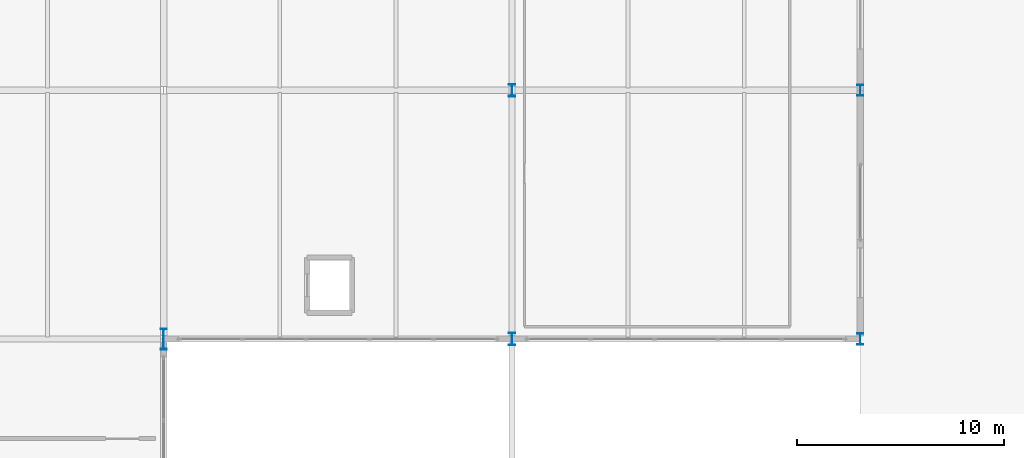
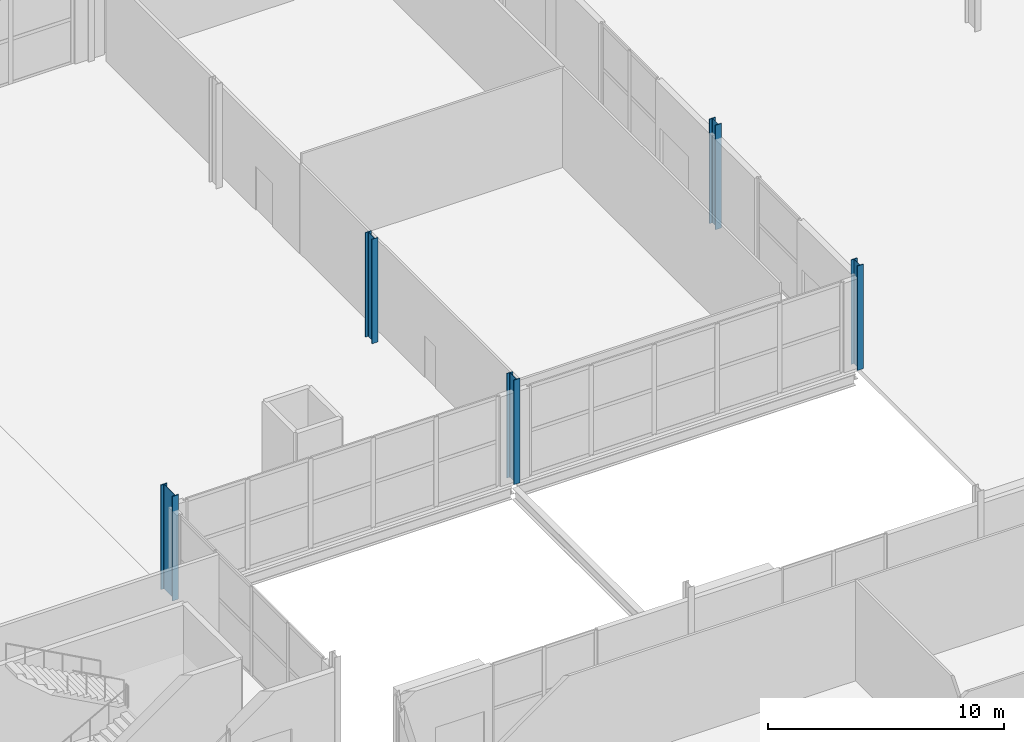
# One storey, part 14 of 87: 5 columns.
"""IFC4 building model written with IfcOpenShell, lengths in metres."""

from ifc_helpers import new_model, si_unit, direction, frame, origin, origin_2d, place, context, subcontext, project, spatial, i_section, extrude, material, material_profile, profile_set, type_object, element, save


model = new_model("IFC4")

# Units and contexts
model_context = context("Model", 3, precision=1e-05, world=origin(), true_north=direction((0.0, 1.0)))
body_context = subcontext(model_context, "Body", "Model", "MODEL_VIEW")
ifc_project = project(units=[si_unit("LENGTHUNIT", "METRE"), si_unit("AREAUNIT", "SQUARE_METRE"), si_unit("VOLUMEUNIT", "CUBIC_METRE"), si_unit("PLANEANGLEUNIT", "RADIAN"), si_unit("MASSUNIT", "GRAM", prefix="KILO")], contexts=[model_context])

# Site, building, storey
site_placement = place(None, origin())
site = spatial("IfcSite", under=ifc_project, at=site_placement, CompositionType="ELEMENT")
building_placement = place(site_placement, origin())
building = spatial("IfcBuilding", under=site, at=building_placement, Name="Kimbaza Rail Terminus", CompositionType="ELEMENT")
storey_placement = place(building_placement, origin())
storey = spatial("IfcBuildingStorey", under=building, at=storey_placement, Name="L00", CompositionType="ELEMENT", Elevation=0.0)

# Columns
ifc_material_1 = material(Name="Steel S355", Category="steel")
ifc_material_profile_1 = material_profile(ifc_material_1, i_section(OverallWidth=0.300048828125, OverallDepth=0.550048828125, WebThickness=0.014892578125, FlangeThickness=0.029052734375, FilletRadius=0.027099609375, at=origin_2d()), Name="HEB 550")
ifc_profile_set_1 = profile_set([ifc_material_profile_1], Name="Steel S355")
column_type_1 = type_object("IfcColumnType", Name="STR-COL-HEB550", PredefinedType="COLUMN", material=ifc_profile_set_1)
for number, where, z_axis, x_axis, name in (
    (1, (189.60009765625, 55.0, 0.0), (0.0, 0.0, 1.0), (1.0, 0.0, 0.0), "Concourse Outer Wing Column L00"),
    (2, (189.60009765625, 67.0, 0.0), (0.0, 0.0, 1.0), (1.0, 0.0, 0.0), "Concourse Outer Wing Column L00"),
):
    element("IfcColumn", number, at=place(storey_placement, frame(where, z_axis=z_axis, x_axis=x_axis)), inside=storey, type_object=column_type_1, Name=name, PredefinedType="COLUMN", context=body_context, shape_type="SweptSolid", body=[
        extrude(i_section(OverallWidth=0.300048828125, OverallDepth=0.550048828125, WebThickness=0.014892578125, FlangeThickness=0.029052734375, FilletRadius=0.027099609375, at=origin_2d()), origin(), (0.0, 0.0, 1.0), 5.39990234375),
    ])
ifc_material_2 = material(Name="Steel S355", Category="steel")
ifc_material_profile_2 = material_profile(ifc_material_2, i_section(OverallWidth=0.300048828125, OverallDepth=0.60009765625, WebThickness=0.015380859375, FlangeThickness=0.030029296875, FilletRadius=0.027099609375, at=origin_2d()), Name="HEB 600")
ifc_profile_set_2 = profile_set([ifc_material_profile_2], Name="Steel S355")
column_type_2 = type_object("IfcColumnType", Name="STR-COL-HEB600", PredefinedType="COLUMN", material=ifc_profile_set_2)
for number, where, z_axis, x_axis, name in (
    (3, (172.800048828125, 55.0, 0.0), (0.0, 0.0, 1.0), (1.0, 0.0, 0.0), "Ticket Hall Pier L00"),
    (4, (172.800048828125, 67.0, 0.0), (0.0, 0.0, 1.0), (1.0, 0.0, 0.0), "Flank Concourse Column L00"),
):
    element("IfcColumn", number, at=place(storey_placement, frame(where, z_axis=z_axis, x_axis=x_axis)), inside=storey, type_object=column_type_2, Name=name, PredefinedType="COLUMN", context=body_context, shape_type="SweptSolid", body=[
        extrude(i_section(OverallWidth=0.300048828125, OverallDepth=0.60009765625, WebThickness=0.015380859375, FlangeThickness=0.030029296875, FilletRadius=0.027099609375, at=origin_2d()), origin(), (0.0, 0.0, 1.0), 5.39990234375),
    ])
ifc_material_3 = material(Name="Steel S355", Category="steel")
ifc_material_profile_3 = material_profile(ifc_material_3, i_section(OverallWidth=0.302001953125, OverallDepth=1.008056640625, WebThickness=0.02099609375, FlangeThickness=0.0400390625, FilletRadius=0.030029296875, at=origin_2d()), Name="HEM 1000")
ifc_profile_set_3 = profile_set([ifc_material_profile_3], Name="Steel S355")
column_type_3 = type_object("IfcColumnType", Name="STR-COL-HEM1000", PredefinedType="COLUMN", material=ifc_profile_set_3)
column_placement = place(storey_placement, frame((156.0, 55.0, 0.0), z_axis=(0.0, 0.0, 1.0), x_axis=(1.0, 0.0, 0.0)))
element("IfcColumn", 5, at=column_placement, inside=storey, type_object=column_type_3, Name="Ticket Hall Pier L00", PredefinedType="COLUMN", context=body_context, shape_type="SweptSolid", body=[
    extrude(i_section(OverallWidth=0.302001953125, OverallDepth=1.008056640625, WebThickness=0.02099609375, FlangeThickness=0.0400390625, FilletRadius=0.030029296875, at=origin_2d()), origin(), (0.0, 0.0, 1.0), 5.39990234375),
])

save(model, "model.ifc")
